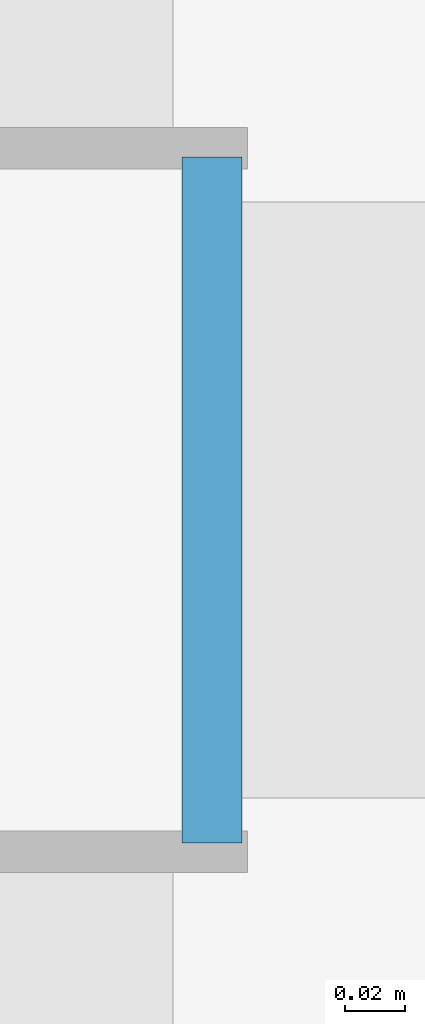
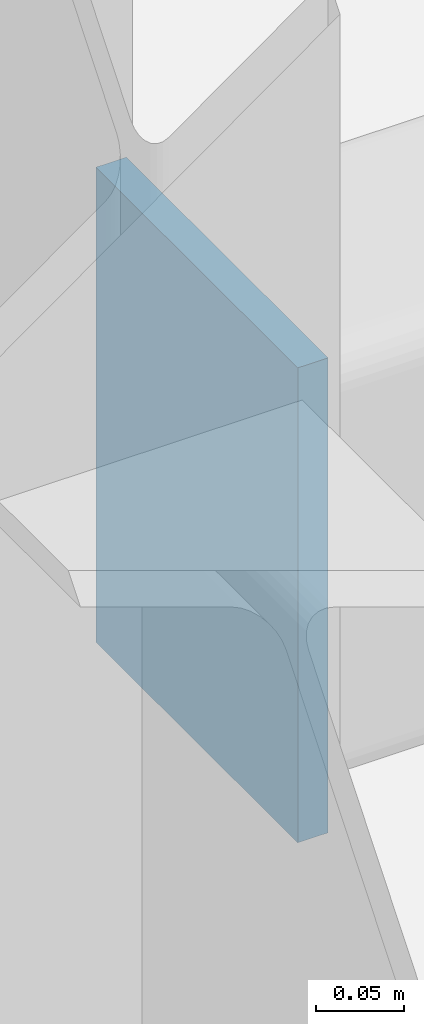
# One storey, part 150 of 184: 1 plate.
"""IFC4 building model written with IfcOpenShell, lengths in metres."""

from ifc_helpers import new_model, si_unit, direction, frame, origin, origin_2d, place, context, subcontext, project, spatial, rectangle, extrude, material, layer, layer_set, type_object, element, save


model = new_model("IFC4")

# Units and contexts
model_context = context("Model", 3, precision=1e-05, world=origin(), true_north=direction((0.0, 1.0)))
body_context = subcontext(model_context, "Body", "Model", "MODEL_VIEW")
ifc_project = project(units=[si_unit("LENGTHUNIT", "METRE"), si_unit("AREAUNIT", "SQUARE_METRE"), si_unit("VOLUMEUNIT", "CUBIC_METRE"), si_unit("PLANEANGLEUNIT", "RADIAN"), si_unit("MASSUNIT", "GRAM", prefix="KILO")], contexts=[model_context])

# Site, building, storey
site_placement = place(None, origin())
site = spatial("IfcSite", under=ifc_project, at=site_placement, CompositionType="ELEMENT")
building_placement = place(site_placement, origin())
building = spatial("IfcBuilding", under=site, at=building_placement, Name="Zhaolan Boulevard Law Courts", CompositionType="ELEMENT")
storey_placement = place(building_placement, frame((0.0, 0.0, 5.39990234375)))
storey = spatial("IfcBuildingStorey", under=building, at=storey_placement, Name="L01", CompositionType="ELEMENT", Elevation=5.39990234375)

# Plate
ifc_material = material(Name="Structural steel Q355B", Category="steel")
ifc_layer = layer(ifc_material, 0.02001953125)
ifc_layer_set = layer_set([ifc_layer])
plate_type = type_object("IfcPlateType", Name="END CAP PLATE 20", PredefinedType="SHEET", material=ifc_layer_set)
plate_placement = place(storey_placement, frame((156.113037109375, 30.0, 4.802978515625), z_axis=(0.0, 0.0, 1.0), x_axis=(1.0, 0.0, 0.0)))
element("IfcPlate", 1, at=plate_placement, inside=storey, type_object=plate_type, Name="Hollow Section End-Cap Plate ECP-0755", PredefinedType="SHEET", context=body_context, shape_type="SweptSolid", body=[
    extrude(rectangle(XDim=0.02001953125, YDim=0.22998046875, at=origin_2d()), origin(), (0.0, 0.0, 1.0), 0.330078125),
])

save(model, "model.ifc")
